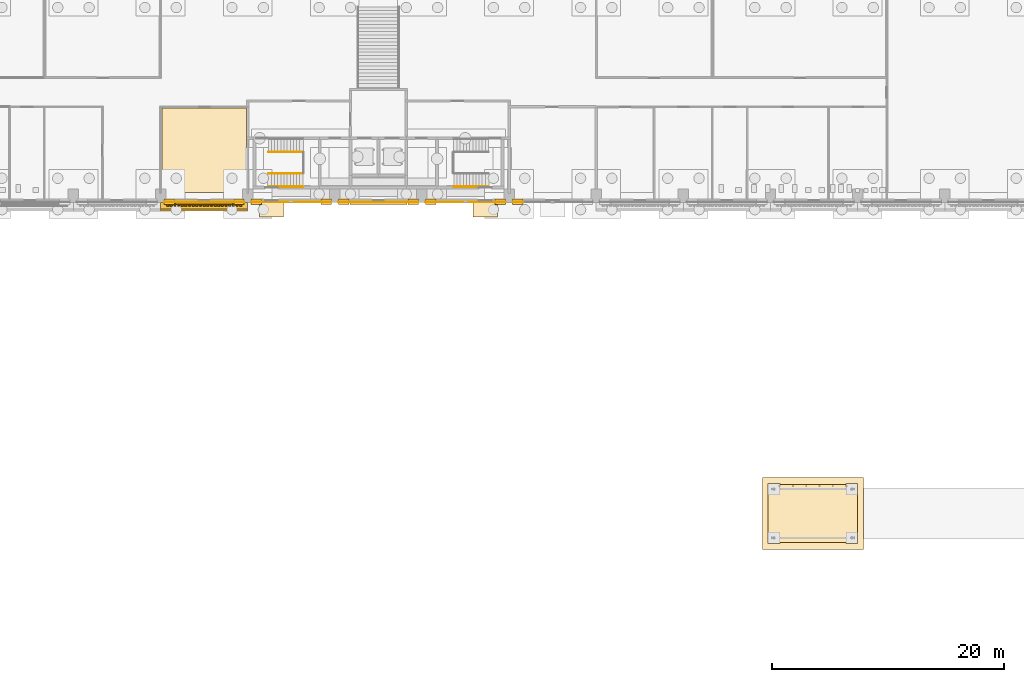
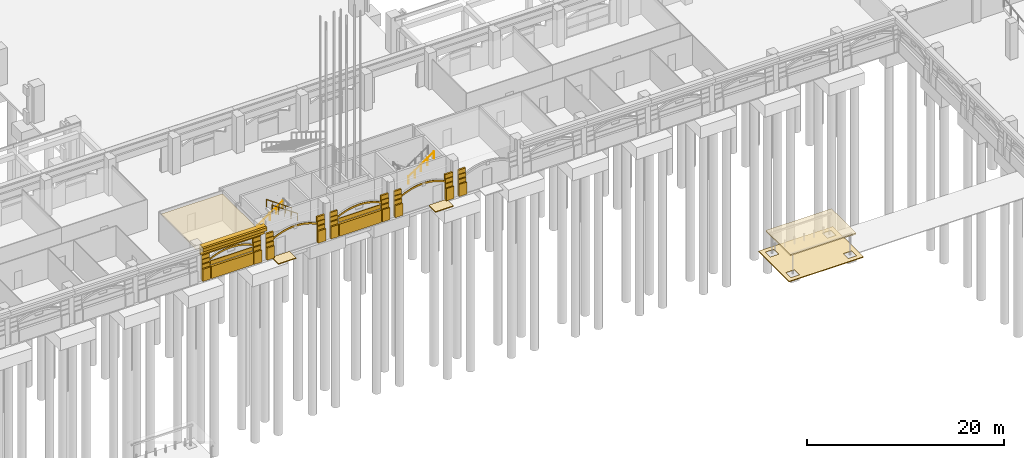
# One storey, part 67 of 99: 52 coverings, 4 railings, 1 element without a shape of its own.
"""IFC4 building model written with IfcOpenShell, lengths in metres."""

from ifc_helpers import new_model, si_unit, direction, frame, origin, origin_2d, place, context, subcontext, project, spatial, polyline, circle, outline, extrude, material, layer, layer_set, type_object, element, aggregate, save


model = new_model("IFC4")

# Units and contexts
model_context = context("Model", 3, precision=1e-05, world=origin(), true_north=direction((0.0, 1.0)))
body_context = subcontext(model_context, "Body", "Model", "MODEL_VIEW")
ifc_project = project(units=[si_unit("LENGTHUNIT", "METRE"), si_unit("AREAUNIT", "SQUARE_METRE"), si_unit("VOLUMEUNIT", "CUBIC_METRE"), si_unit("PLANEANGLEUNIT", "RADIAN"), si_unit("MASSUNIT", "GRAM", prefix="KILO")], contexts=[model_context])

# Site, building, storey
site_placement = place(None, origin())
site = spatial("IfcSite", under=ifc_project, at=site_placement, CompositionType="ELEMENT")
building_placement = place(site_placement, origin())
building = spatial("IfcBuilding", under=site, at=building_placement, Name="Cour d'Honneur Mobility Palace", CompositionType="ELEMENT")
storey_placement = place(building_placement, origin())
storey = spatial("IfcBuildingStorey", under=building, at=storey_placement, Name="L00", CompositionType="ELEMENT", Elevation=0.0)

# Coverings
ifc_material_1 = material(Name="Cast limestone", Category="masonry")
ifc_layer_1 = layer(ifc_material_1, 0.050048828125)
ifc_layer_set_1 = layer_set([ifc_layer_1], Name="Cast limestone")
covering_type_1 = type_object("IfcCoveringType", Name="Arch hood", PredefinedType="CLADDING", material=ifc_layer_set_1)
for number, where, z_axis, x_axis, name in (
    (1, (63.60009765625, 44.300048828125, 2.179931640625), (0.0, -1.0, 0.0), (0.893466628376, 0.0, 0.449129584839), "Arch hood AH-13"),
    (2, (71.10009765625, 44.300048828125, 2.179931640625), (0.0, -1.0, 0.0), (0.893466628376, 0.0, 0.449129584839), "Arch hood AH-14"),
    (3, (78.60009765625, 44.300048828125, 2.179931640625), (0.0, -1.0, 0.0), (0.893466628376, 0.0, 0.449129584839), "Arch hood AH-15"),
    (4, (86.10009765625, 44.300048828125, 2.179931640625), (0.0, -1.0, 0.0), (0.893466628376, 0.0, 0.449129584839), "Arch hood AH-16"),
):
    element("IfcCovering", number, at=place(storey_placement, frame(where, z_axis=z_axis, x_axis=x_axis)), inside=storey, type_object=covering_type_1, Name=name, PredefinedType="CLADDING", context=body_context, shape_type="SweptSolid", body=[
        extrude(outline(polyline([(0.0, 0.0), (0.35659251896621735, 0.0), (0.7019994885684498, -0.022795326888668588), (1.0365522012474004, -0.0666397586034293), (1.3614544754480467, -0.13022567619190017), (1.6770364335570624, -0.21235277137119013), (1.9834088964060255, -0.3122569988605455), (2.2812274285521696, -0.4297213972129261), (2.5701654177709066, -0.564308533372167), (2.850768777841922, -0.7160195773922962), (3.122709726486599, -0.8849630099968336), (3.38566048142632, -1.0712473119092998), (3.6398380041081246, -1.2755280476869282), (3.8844770791972314, -1.4982403102778272), (4.119465715808033, -1.740694058742436), (4.343818226996622, -2.004306562810686), (4.556548925819088, -2.2904950922125074), (4.655344276390369, -2.0939586097498237), (4.44272322834545, -1.807551948846934), (4.218261066379314, -1.5441575762797524), (3.983272429768512, -1.3017038278151434), (3.7387430054569535, -1.078773433723176), (3.4844558319976, -0.8747108294466162), (3.221505077057879, -0.68842652753415), (2.949564128413202, -0.5194830949296125), (2.6689607683421865, -0.3677720509094833), (2.3800227791234496, -0.2331849147502425), (2.0822042469773057, -0.11572051639786185), (1.7758317841283424, -0.015816288908506504), (1.4603594767968753, 0.06652893777185187), (1.1353475518186806, 0.12989672385925438), (0.8007948391397299, 0.17374115557401504), (0.45549752031504603, 0.1967546139637521), (0.09879535057128006, 0.19653648246268365), (0.0, 0.0)])), origin(), (0.0, 0.0, -1.0), 0.050048828125),
    ])
ifc_material_2 = material(Name="Cast limestone", Category="masonry")
ifc_layer_2 = layer(ifc_material_2, 0.14990234375)
ifc_layer_set_2 = layer_set([ifc_layer_2], Name="Cast limestone")
covering_type_2 = type_object("IfcCoveringType", Name="Dentil course", PredefinedType="CLADDING", material=ifc_layer_set_2)
covering_1_placement = place(storey_placement, frame((0.0, 0.0, 3.949951171875)))
element("IfcCovering", 5, at=covering_1_placement, inside=storey, type_object=covering_type_2, Name="Dentil course DC-11", PredefinedType="CLADDING", context=body_context, shape_type="SweptSolid", body=[
    extrude(outline(polyline([(62.85009765625, 44.10009765625), (69.449951171875, 44.10009765625), (69.449951171875, 44.070068359375), (69.449951171875, 44.070068359375), (69.371337890625, 44.070068359375), (69.371337890625, 43.949951171875), (69.21435546875, 43.949951171875), (69.21435546875, 44.070068359375), (69.1357421875, 44.070068359375), (69.1357421875, 44.070068359375), (69.05712890625, 44.070068359375), (69.05712890625, 43.949951171875), (68.89990234375, 43.949951171875), (68.89990234375, 44.070068359375), (68.821533203125, 44.070068359375), (68.821533203125, 44.070068359375), (68.742919921875, 44.070068359375), (68.742919921875, 43.949951171875), (68.585693359375, 43.949951171875), (68.585693359375, 44.070068359375), (68.507080078125, 44.070068359375), (68.507080078125, 44.070068359375), (68.428466796875, 44.070068359375), (68.428466796875, 43.949951171875), (68.271484375, 43.949951171875), (68.271484375, 44.070068359375), (68.19287109375, 44.070068359375), (68.19287109375, 44.070068359375), (68.1142578125, 44.070068359375), (68.1142578125, 43.949951171875), (67.95703125, 43.949951171875), (67.95703125, 44.070068359375), (67.878662109375, 44.070068359375), (67.878662109375, 44.070068359375), (67.800048828125, 44.070068359375), (67.800048828125, 43.949951171875), (67.642822265625, 43.949951171875), (67.642822265625, 44.070068359375), (67.564208984375, 44.070068359375), (67.564208984375, 44.070068359375), (67.485595703125, 44.070068359375), (67.485595703125, 43.949951171875), (67.32861328125, 43.949951171875), (67.32861328125, 44.070068359375), (67.25, 44.070068359375), (67.25, 44.070068359375), (67.17138671875, 44.070068359375), (67.17138671875, 43.949951171875), (67.014404296875, 43.949951171875), (67.014404296875, 44.070068359375), (66.935791015625, 44.070068359375), (66.935791015625, 44.070068359375), (66.857177734375, 44.070068359375), (66.857177734375, 43.949951171875), (66.699951171875, 43.949951171875), (66.699951171875, 44.070068359375), (66.621337890625, 44.070068359375), (66.621337890625, 44.070068359375), (66.54296875, 44.070068359375), (66.54296875, 43.949951171875), (66.3857421875, 43.949951171875), (66.3857421875, 44.070068359375), (66.30712890625, 44.070068359375), (66.30712890625, 44.070068359375), (66.228515625, 44.070068359375), (66.228515625, 43.949951171875), (66.071533203125, 43.949951171875), (66.071533203125, 44.070068359375), (65.992919921875, 44.070068359375), (65.992919921875, 44.070068359375), (65.914306640625, 44.070068359375), (65.914306640625, 43.949951171875), (65.757080078125, 43.949951171875), (65.757080078125, 44.070068359375), (65.678466796875, 44.070068359375), (65.678466796875, 44.070068359375), (65.60009765625, 44.070068359375), (65.60009765625, 43.949951171875), (65.44287109375, 43.949951171875), (65.44287109375, 44.070068359375), (65.3642578125, 44.070068359375), (65.3642578125, 44.070068359375), (65.28564453125, 44.070068359375), (65.28564453125, 43.949951171875), (65.128662109375, 43.949951171875), (65.128662109375, 44.070068359375), (65.050048828125, 44.070068359375), (65.050048828125, 44.070068359375), (64.971435546875, 44.070068359375), (64.971435546875, 43.949951171875), (64.814208984375, 43.949951171875), (64.814208984375, 44.070068359375), (64.735595703125, 44.070068359375), (64.735595703125, 44.070068359375), (64.6572265625, 44.070068359375), (64.6572265625, 43.949951171875), (64.5, 43.949951171875), (64.5, 44.070068359375), (64.42138671875, 44.070068359375), (64.42138671875, 44.070068359375), (64.3427734375, 44.070068359375), (64.3427734375, 43.949951171875), (64.185791015625, 43.949951171875), (64.185791015625, 44.070068359375), (64.107177734375, 44.070068359375), (64.107177734375, 44.070068359375), (64.028564453125, 44.070068359375), (64.028564453125, 43.949951171875), (63.871337890625, 43.949951171875), (63.871337890625, 44.070068359375), (63.79296875, 44.070068359375), (63.79296875, 44.070068359375), (63.71435546875, 44.070068359375), (63.71435546875, 43.949951171875), (63.55712890625, 43.949951171875), (63.55712890625, 44.070068359375), (63.478515625, 44.070068359375), (63.478515625, 44.070068359375), (63.39990234375, 44.070068359375), (63.39990234375, 43.949951171875), (63.242919921875, 43.949951171875), (63.242919921875, 44.070068359375), (63.164306640625, 44.070068359375), (63.164306640625, 44.070068359375), (63.085693359375, 44.070068359375), (63.085693359375, 43.949951171875), (62.928466796875, 43.949951171875), (62.928466796875, 44.070068359375), (62.85009765625, 44.070068359375), (62.85009765625, 44.10009765625)])), origin(), (0.0, 0.0, 1.0), 0.150146484375),
])
ifc_material_3 = material(Name="Cast limestone", Category="masonry")
ifc_layer_3 = layer(ifc_material_3, 0.699951171875)
ifc_layer_set_3 = layer_set([ifc_layer_3], Name="Cast limestone")
covering_type_3 = type_object("IfcCoveringType", Name="Entablature", PredefinedType="CLADDING", material=ifc_layer_set_3)
covering_2_placement = place(storey_placement, frame((62.39990234375, 44.25, 3.39990234375), z_axis=(-1.0, 0.0, 0.0), x_axis=(0.0, -1.0, 0.0)))
element("IfcCovering", 6, at=covering_2_placement, inside=storey, type_object=covering_type_3, Name="Entablature EN-11", PredefinedType="CLADDING", context=body_context, shape_type="SweptSolid", body=[
    extrude(outline(polyline([(0.0, 0.0), (0.14990234375, 0.0), (0.14990234375, 0.7001953125), (0.699951171875, 0.7001953125), (0.699951171875, 1.10009765625), (0.550048828125, 1.2001953125), (0.0, 1.2001953125), (0.0, 0.0)])), origin(), (0.0, 0.0, -1.0), 7.5),
])
ifc_material_4 = material(Name="Granite paving", Category="masonry")
ifc_layer_4 = layer(ifc_material_4, 0.10009765625)
ifc_layer_set_4 = layer_set([ifc_layer_4], Name="Granite paving")
covering_type_4 = type_object("IfcCoveringType", Name="Entrance paving", PredefinedType="FLOORING", material=ifc_layer_set_4)
covering_3_placement = place(storey_placement, frame((0.0, 0.0, -0.10009765625)))
element("IfcCovering", 7, at=covering_3_placement, inside=storey, type_object=covering_type_4, Name="Entrance paving PV-4", PredefinedType="FLOORING", context=body_context, shape_type="SweptSolid", body=[
    extrude(outline(polyline([(70.89990234375, 44.35009765625), (73.0, 44.35009765625), (73.0, 43.0), (70.89990234375, 43.0), (70.89990234375, 44.35009765625)])), origin(), (0.0, 0.0, 1.0), 0.10009765625),
])
covering_4_placement = place(storey_placement, frame((0.0, 0.0, -0.10009765625)))
element("IfcCovering", 8, at=covering_4_placement, inside=storey, type_object=covering_type_4, Name="Entrance paving PV-5", PredefinedType="FLOORING", context=body_context, shape_type="SweptSolid", body=[
    extrude(outline(polyline([(89.300048828125, 44.35009765625), (91.39990234375, 44.35009765625), (91.39990234375, 43.0), (89.300048828125, 43.0), (89.300048828125, 44.35009765625)])), origin(), (0.0, 0.0, 1.0), 0.10009765625),
])

# Railings
ifc_material_5 = material(Name="Stainless steel", Category="steel")
railing_type = type_object("IfcRailingType", Name="Handrail round 50", PredefinedType="HANDRAIL", material=ifc_material_5)
railing_1_placement = place(storey_placement, frame((71.675048828125, 48.60009765625, 0.1875)))
element("IfcRailing", 9, at=railing_1_placement, inside=storey, type_object=railing_type, Name="Handrail ST-CC1", PredefinedType="HANDRAIL", context=body_context, shape_type="SweptSolid", body=[
    extrude(circle(Radius=0.02490234375, at=origin_2d()), frame((0.0, 0.0, 0.89501953125), z_axis=(0.821367329581, 0.0, 0.57039960545), x_axis=(0.0, 1.0, 0.0)), (0.0, 0.0, 1.0), 3.615966796875),
    extrude(circle(Radius=0.02099609375, at=origin_2d()), origin(), (0.0, 0.0, 1.0), 0.869873046875),
    extrude(circle(Radius=0.02099609375, at=origin_2d()), frame((0.742431640625, 0.0, 0.515625)), (0.0, 0.0, 1.0), 0.869873046875),
    extrude(circle(Radius=0.02099609375, at=origin_2d()), frame((1.48486328125, 0.0, 1.03125)), (0.0, 0.0, 1.0), 0.869873046875),
    extrude(circle(Radius=0.02099609375, at=origin_2d()), frame((2.2275390625, 0.0, 1.546875)), (0.0, 0.0, 1.0), 0.869873046875),
    extrude(circle(Radius=0.02099609375, at=origin_2d()), frame((2.969970703125, 0.0, 2.0625)), (0.0, 0.0, 1.0), 0.869873046875),
])
for number, where, name in (
    (10, (74.64501953125, 46.77490234375, 2.4375), "Handrail ST-CC1"),
    (11, (74.64501953125, 45.625, 2.4375), "Handrail ST-CC1"),
):
    element("IfcRailing", number, at=place(storey_placement, frame(where)), inside=storey, type_object=railing_type, Name=name, PredefinedType="HANDRAIL", context=body_context, shape_type="SweptSolid", body=[
        extrude(circle(Radius=0.02490234375, at=origin_2d()), frame((0.0, 0.0, 0.89501953125), z_axis=(-0.821367329581, 0.0, 0.57039960545), x_axis=(0.0, -1.0, 0.0)), (0.0, 0.0, 1.0), 3.615966796875),
        extrude(circle(Radius=0.02099609375, at=origin_2d()), origin(), (0.0, 0.0, 1.0), 0.869873046875),
        extrude(circle(Radius=0.02099609375, at=origin_2d()), frame((-0.742431640625, 0.0, 0.515625)), (0.0, 0.0, 1.0), 0.869873046875),
        extrude(circle(Radius=0.02099609375, at=origin_2d()), frame((-1.48486328125, 0.0, 1.03125)), (0.0, 0.0, 1.0), 0.869873046875),
        extrude(circle(Radius=0.02099609375, at=origin_2d()), frame((-2.2275390625, 0.0, 1.546875)), (0.0, 0.0, 1.0), 0.869873046875),
        extrude(circle(Radius=0.02099609375, at=origin_2d()), frame((-2.969970703125, 0.0, 2.0625)), (0.0, 0.0, 1.0), 0.869873046875),
    ])
railing_2_placement = place(storey_placement, frame((87.655029296875, 45.625, 2.4375)))
element("IfcRailing", 12, at=railing_2_placement, inside=storey, type_object=railing_type, Name="Handrail ST-CC2", PredefinedType="HANDRAIL", context=body_context, shape_type="SweptSolid", body=[
    extrude(circle(Radius=0.02490234375, at=origin_2d()), frame((0.0, 0.0, 0.89501953125), z_axis=(0.821367329581, 0.0, 0.57039960545), x_axis=(0.0, 1.0, 0.0)), (0.0, 0.0, 1.0), 3.615966796875),
    extrude(circle(Radius=0.02099609375, at=origin_2d()), origin(), (0.0, 0.0, 1.0), 0.869873046875),
    extrude(circle(Radius=0.02099609375, at=origin_2d()), frame((0.742431640625, 0.0, 0.515625)), (0.0, 0.0, 1.0), 0.869873046875),
    extrude(circle(Radius=0.02099609375, at=origin_2d()), frame((1.48486328125, 0.0, 1.03125)), (0.0, 0.0, 1.0), 0.869873046875),
    extrude(circle(Radius=0.02099609375, at=origin_2d()), frame((2.2275390625, 0.0, 1.546875)), (0.0, 0.0, 1.0), 0.869873046875),
    extrude(circle(Radius=0.02099609375, at=origin_2d()), frame((2.969970703125, 0.0, 2.0625)), (0.0, 0.0, 1.0), 0.869873046875),
])

# Coverings
ifc_material_6 = material(Name="Cast limestone", Category="masonry")
ifc_layer_5 = layer(ifc_material_6, 0.25)
ifc_layer_set_5 = layer_set([ifc_layer_5], Name="Cast limestone")
covering_type_5 = type_object("IfcCoveringType", Name="Plinth course", PredefinedType="CLADDING", material=ifc_layer_set_5)
covering_5_placement = place(storey_placement, origin())
element("IfcCovering", 13, at=covering_5_placement, inside=storey, type_object=covering_type_5, Name="Plinth course PI-39", PredefinedType="CLADDING", context=body_context, shape_type="SweptSolid", body=[
    extrude(outline(polyline([(62.699951171875, 44.35009765625), (63.60009765625, 44.35009765625), (63.60009765625, 44.10009765625), (62.699951171875, 44.10009765625), (62.699951171875, 44.35009765625)])), origin(), (0.0, 0.0, 1.0), 1.5),
])
covering_6_placement = place(storey_placement, origin())
element("IfcCovering", 14, at=covering_6_placement, inside=storey, type_object=covering_type_5, Name="Plinth course PI-40", PredefinedType="CLADDING", context=body_context, shape_type="SweptSolid", body=[
    extrude(outline(polyline([(68.699951171875, 44.35009765625), (69.60009765625, 44.35009765625), (69.60009765625, 44.10009765625), (68.699951171875, 44.10009765625), (68.699951171875, 44.35009765625)])), origin(), (0.0, 0.0, 1.0), 1.5),
])
covering_7_placement = place(storey_placement, origin())
element("IfcCovering", 15, at=covering_7_placement, inside=storey, type_object=covering_type_5, Name="Plinth course PI-41", PredefinedType="CLADDING", context=body_context, shape_type="SweptSolid", body=[
    extrude(outline(polyline([(63.699951171875, 44.35009765625), (68.60009765625, 44.35009765625), (68.60009765625, 44.10009765625), (63.699951171875, 44.10009765625), (63.699951171875, 44.35009765625)])), origin(), (0.0, 0.0, 1.0), 1.5),
])
covering_8_placement = place(storey_placement, origin())
element("IfcCovering", 16, at=covering_8_placement, inside=storey, type_object=covering_type_5, Name="Plinth course PI-42", PredefinedType="CLADDING", context=body_context, shape_type="SweptSolid", body=[
    extrude(outline(polyline([(70.199951171875, 44.35009765625), (71.10009765625, 44.35009765625), (71.10009765625, 44.10009765625), (70.199951171875, 44.10009765625), (70.199951171875, 44.35009765625)])), origin(), (0.0, 0.0, 1.0), 1.5),
])
covering_9_placement = place(storey_placement, origin())
element("IfcCovering", 17, at=covering_9_placement, inside=storey, type_object=covering_type_5, Name="Plinth course PI-43", PredefinedType="CLADDING", context=body_context, shape_type="SweptSolid", body=[
    extrude(outline(polyline([(76.199951171875, 44.35009765625), (77.10009765625, 44.35009765625), (77.10009765625, 44.10009765625), (76.199951171875, 44.10009765625), (76.199951171875, 44.35009765625)])), origin(), (0.0, 0.0, 1.0), 1.5),
])
covering_10_placement = place(storey_placement, origin())
element("IfcCovering", 18, at=covering_10_placement, inside=storey, type_object=covering_type_5, Name="Plinth course PI-44", PredefinedType="CLADDING", context=body_context, shape_type="SweptSolid", body=[
    extrude(outline(polyline([(77.699951171875, 44.35009765625), (78.60009765625, 44.35009765625), (78.60009765625, 44.10009765625), (77.699951171875, 44.10009765625), (77.699951171875, 44.35009765625)])), origin(), (0.0, 0.0, 1.0), 1.5),
])
covering_11_placement = place(storey_placement, origin())
element("IfcCovering", 19, at=covering_11_placement, inside=storey, type_object=covering_type_5, Name="Plinth course PI-45", PredefinedType="CLADDING", context=body_context, shape_type="SweptSolid", body=[
    extrude(outline(polyline([(83.699951171875, 44.35009765625), (84.60009765625, 44.35009765625), (84.60009765625, 44.10009765625), (83.699951171875, 44.10009765625), (83.699951171875, 44.35009765625)])), origin(), (0.0, 0.0, 1.0), 1.5),
])
covering_12_placement = place(storey_placement, origin())
element("IfcCovering", 20, at=covering_12_placement, inside=storey, type_object=covering_type_5, Name="Plinth course PI-46", PredefinedType="CLADDING", context=body_context, shape_type="SweptSolid", body=[
    extrude(outline(polyline([(78.699951171875, 44.35009765625), (83.60009765625, 44.35009765625), (83.60009765625, 44.10009765625), (78.699951171875, 44.10009765625), (78.699951171875, 44.35009765625)])), origin(), (0.0, 0.0, 1.0), 1.5),
])
covering_13_placement = place(storey_placement, origin())
element("IfcCovering", 21, at=covering_13_placement, inside=storey, type_object=covering_type_5, Name="Plinth course PI-47", PredefinedType="CLADDING", context=body_context, shape_type="SweptSolid", body=[
    extrude(outline(polyline([(85.199951171875, 44.35009765625), (86.10009765625, 44.35009765625), (86.10009765625, 44.10009765625), (85.199951171875, 44.10009765625), (85.199951171875, 44.35009765625)])), origin(), (0.0, 0.0, 1.0), 1.5),
])
covering_14_placement = place(storey_placement, origin())
element("IfcCovering", 22, at=covering_14_placement, inside=storey, type_object=covering_type_5, Name="Plinth course PI-48", PredefinedType="CLADDING", context=body_context, shape_type="SweptSolid", body=[
    extrude(outline(polyline([(91.199951171875, 44.35009765625), (92.10009765625, 44.35009765625), (92.10009765625, 44.10009765625), (91.199951171875, 44.10009765625), (91.199951171875, 44.35009765625)])), origin(), (0.0, 0.0, 1.0), 1.5),
])
covering_15_placement = place(storey_placement, origin())
element("IfcCovering", 23, at=covering_15_placement, inside=storey, type_object=covering_type_5, Name="Plinth course PI-49", PredefinedType="CLADDING", context=body_context, shape_type="SweptSolid", body=[
    extrude(outline(polyline([(92.699951171875, 44.35009765625), (93.60009765625, 44.35009765625), (93.60009765625, 44.10009765625), (92.699951171875, 44.10009765625), (92.699951171875, 44.35009765625)])), origin(), (0.0, 0.0, 1.0), 1.5),
])
ifc_material_7 = material(Name="Cast limestone", Category="masonry")
ifc_layer_6 = layer(ifc_material_7, 0.199951171875)
ifc_layer_set_6 = layer_set([ifc_layer_6], Name="Cast limestone")
covering_type_6 = type_object("IfcCoveringType", Name="Rusticated jamb panel", PredefinedType="CLADDING", material=ifc_layer_set_6)
for number, where, z_axis, x_axis, name in (
    (24, (62.699951171875, 44.35009765625, 0.0), (0.0, -1.0, 0.0), (1.0, 0.0, 0.0), "Rusticated jamb panel RP-29"),
    (25, (68.699951171875, 44.35009765625, 0.0), (0.0, -1.0, 0.0), (1.0, 0.0, 0.0), "Rusticated jamb panel RP-30"),
    (26, (70.199951171875, 44.35009765625, 0.0), (0.0, -1.0, 0.0), (1.0, 0.0, 0.0), "Rusticated jamb panel RP-31"),
    (27, (76.199951171875, 44.35009765625, 0.0), (0.0, -1.0, 0.0), (1.0, 0.0, 0.0), "Rusticated jamb panel RP-32"),
    (28, (77.699951171875, 44.35009765625, 0.0), (0.0, -1.0, 0.0), (1.0, 0.0, 0.0), "Rusticated jamb panel RP-33"),
    (29, (83.699951171875, 44.35009765625, 0.0), (0.0, -1.0, 0.0), (1.0, 0.0, 0.0), "Rusticated jamb panel RP-34"),
    (30, (85.199951171875, 44.35009765625, 0.0), (0.0, -1.0, 0.0), (1.0, 0.0, 0.0), "Rusticated jamb panel RP-35"),
    (31, (91.199951171875, 44.35009765625, 0.0), (0.0, -1.0, 0.0), (1.0, 0.0, 0.0), "Rusticated jamb panel RP-36"),
    (32, (92.699951171875, 44.35009765625, 0.0), (0.0, -1.0, 0.0), (1.0, 0.0, 0.0), "Rusticated jamb panel RP-37"),
):
    element("IfcCovering", number, at=place(storey_placement, frame(where, z_axis=z_axis, x_axis=x_axis)), inside=storey, type_object=covering_type_6, Name=name, PredefinedType="CLADDING", context=body_context, shape_type="SweptSolid", body=[
        extrude(outline(polyline([(0.0, 0.0), (0.900146484375, 0.0), (0.900146484375, 3.10009765625), (0.0, 3.10009765625), (0.0, 0.0)])), origin(), (0.0, 0.0, -1.0), 0.199951171875),
    ])
ifc_material_8 = material(Name="Cast limestone", Category="masonry")
ifc_layer_7 = layer(ifc_material_8, 0.080078125)
ifc_layer_set_7 = layer_set([ifc_layer_7], Name="Cast limestone")
covering_type_7 = type_object("IfcCoveringType", Name="Rustication course", PredefinedType="CLADDING", material=ifc_layer_set_7)
for number, where, name in (
    (33, (0.0, 0.0, 1.5), "Rustication course RC-65"),
    (34, (0.0, 0.0, 2.10009765625), "Rustication course RC-66"),
):
    element("IfcCovering", number, at=place(storey_placement, frame(where)), inside=storey, type_object=covering_type_7, Name=name, PredefinedType="CLADDING", context=body_context, shape_type="SweptSolid", body=[
        extrude(outline(polyline([(62.699951171875, 44.35009765625), (63.60009765625, 44.35009765625), (63.60009765625, 44.27001953125), (62.699951171875, 44.27001953125), (62.699951171875, 44.35009765625)])), origin(), (0.0, 0.0, 1.0), 0.47998046875),
    ])
for number, where, name in (
    (35, (0.0, 0.0, 1.5), "Rustication course RC-67"),
    (36, (0.0, 0.0, 2.10009765625), "Rustication course RC-68"),
):
    element("IfcCovering", number, at=place(storey_placement, frame(where)), inside=storey, type_object=covering_type_7, Name=name, PredefinedType="CLADDING", context=body_context, shape_type="SweptSolid", body=[
        extrude(outline(polyline([(68.699951171875, 44.35009765625), (69.60009765625, 44.35009765625), (69.60009765625, 44.27001953125), (68.699951171875, 44.27001953125), (68.699951171875, 44.35009765625)])), origin(), (0.0, 0.0, 1.0), 0.47998046875),
    ])
covering_16_placement = place(storey_placement, frame((0.0, 0.0, 1.6201171875)))
element("IfcCovering", 37, at=covering_16_placement, inside=storey, type_object=covering_type_7, Name="Rustication course RC-69", PredefinedType="CLADDING", context=body_context, shape_type="SweptSolid", body=[
    extrude(outline(polyline([(63.699951171875, 44.35009765625), (68.60009765625, 44.35009765625), (68.60009765625, 44.27001953125), (63.699951171875, 44.27001953125), (63.699951171875, 44.35009765625)])), origin(), (0.0, 0.0, 1.0), 0.47998046875),
])
for number, where, name in (
    (38, (0.0, 0.0, 1.5), "Rustication course RC-70"),
    (39, (0.0, 0.0, 2.10009765625), "Rustication course RC-71"),
):
    element("IfcCovering", number, at=place(storey_placement, frame(where)), inside=storey, type_object=covering_type_7, Name=name, PredefinedType="CLADDING", context=body_context, shape_type="SweptSolid", body=[
        extrude(outline(polyline([(70.199951171875, 44.35009765625), (71.10009765625, 44.35009765625), (71.10009765625, 44.27001953125), (70.199951171875, 44.27001953125), (70.199951171875, 44.35009765625)])), origin(), (0.0, 0.0, 1.0), 0.47998046875),
    ])
for number, where, name in (
    (40, (0.0, 0.0, 1.5), "Rustication course RC-72"),
    (41, (0.0, 0.0, 2.10009765625), "Rustication course RC-73"),
):
    element("IfcCovering", number, at=place(storey_placement, frame(where)), inside=storey, type_object=covering_type_7, Name=name, PredefinedType="CLADDING", context=body_context, shape_type="SweptSolid", body=[
        extrude(outline(polyline([(76.199951171875, 44.35009765625), (77.10009765625, 44.35009765625), (77.10009765625, 44.27001953125), (76.199951171875, 44.27001953125), (76.199951171875, 44.35009765625)])), origin(), (0.0, 0.0, 1.0), 0.47998046875),
    ])
for number, where, name in (
    (42, (0.0, 0.0, 1.5), "Rustication course RC-74"),
    (43, (0.0, 0.0, 2.10009765625), "Rustication course RC-75"),
):
    element("IfcCovering", number, at=place(storey_placement, frame(where)), inside=storey, type_object=covering_type_7, Name=name, PredefinedType="CLADDING", context=body_context, shape_type="SweptSolid", body=[
        extrude(outline(polyline([(77.699951171875, 44.35009765625), (78.60009765625, 44.35009765625), (78.60009765625, 44.27001953125), (77.699951171875, 44.27001953125), (77.699951171875, 44.35009765625)])), origin(), (0.0, 0.0, 1.0), 0.47998046875),
    ])
for number, where, name in (
    (44, (0.0, 0.0, 1.5), "Rustication course RC-76"),
    (45, (0.0, 0.0, 2.10009765625), "Rustication course RC-77"),
):
    element("IfcCovering", number, at=place(storey_placement, frame(where)), inside=storey, type_object=covering_type_7, Name=name, PredefinedType="CLADDING", context=body_context, shape_type="SweptSolid", body=[
        extrude(outline(polyline([(83.699951171875, 44.35009765625), (84.60009765625, 44.35009765625), (84.60009765625, 44.27001953125), (83.699951171875, 44.27001953125), (83.699951171875, 44.35009765625)])), origin(), (0.0, 0.0, 1.0), 0.47998046875),
    ])
covering_17_placement = place(storey_placement, frame((0.0, 0.0, 1.6201171875)))
element("IfcCovering", 46, at=covering_17_placement, inside=storey, type_object=covering_type_7, Name="Rustication course RC-78", PredefinedType="CLADDING", context=body_context, shape_type="SweptSolid", body=[
    extrude(outline(polyline([(78.699951171875, 44.35009765625), (83.60009765625, 44.35009765625), (83.60009765625, 44.27001953125), (78.699951171875, 44.27001953125), (78.699951171875, 44.35009765625)])), origin(), (0.0, 0.0, 1.0), 0.47998046875),
])
for number, where, name in (
    (47, (0.0, 0.0, 1.5), "Rustication course RC-79"),
    (48, (0.0, 0.0, 2.10009765625), "Rustication course RC-80"),
):
    element("IfcCovering", number, at=place(storey_placement, frame(where)), inside=storey, type_object=covering_type_7, Name=name, PredefinedType="CLADDING", context=body_context, shape_type="SweptSolid", body=[
        extrude(outline(polyline([(85.199951171875, 44.35009765625), (86.10009765625, 44.35009765625), (86.10009765625, 44.27001953125), (85.199951171875, 44.27001953125), (85.199951171875, 44.35009765625)])), origin(), (0.0, 0.0, 1.0), 0.47998046875),
    ])
for number, where, name in (
    (49, (0.0, 0.0, 1.5), "Rustication course RC-81"),
    (50, (0.0, 0.0, 2.10009765625), "Rustication course RC-82"),
):
    element("IfcCovering", number, at=place(storey_placement, frame(where)), inside=storey, type_object=covering_type_7, Name=name, PredefinedType="CLADDING", context=body_context, shape_type="SweptSolid", body=[
        extrude(outline(polyline([(91.199951171875, 44.35009765625), (92.10009765625, 44.35009765625), (92.10009765625, 44.27001953125), (91.199951171875, 44.27001953125), (91.199951171875, 44.35009765625)])), origin(), (0.0, 0.0, 1.0), 0.47998046875),
    ])
for number, where, name in (
    (51, (0.0, 0.0, 1.5), "Rustication course RC-83"),
    (52, (0.0, 0.0, 2.10009765625), "Rustication course RC-84"),
):
    element("IfcCovering", number, at=place(storey_placement, frame(where)), inside=storey, type_object=covering_type_7, Name=name, PredefinedType="CLADDING", context=body_context, shape_type="SweptSolid", body=[
        extrude(outline(polyline([(92.699951171875, 44.35009765625), (93.60009765625, 44.35009765625), (93.60009765625, 44.27001953125), (92.699951171875, 44.27001953125), (92.699951171875, 44.35009765625)])), origin(), (0.0, 0.0, 1.0), 0.47998046875),
    ])

# Roof, covering
ifc_material_9 = material(Name="Zinc standing seam")
ifc_layer_8 = layer(ifc_material_9, 0.06005859375)
ifc_layer_set_8 = layer_set([ifc_layer_8], Name="Zinc standing seam")
roof_type = type_object("IfcRoofType", Name="Flat roof", PredefinedType="FLAT_ROOF", material=ifc_layer_set_8)
roof_placement = place(storey_placement, origin())
roof = element("IfcRoof", 53, at=roof_placement, inside=storey, type_object=roof_type, Name="Shelter roof E", PredefinedType="FLAT_ROOF")
ifc_material_10 = material(Name="Zinc standing seam")
ifc_layer_9 = layer(ifc_material_10, 0.14990234375)
ifc_layer_set_9 = layer_set([ifc_layer_9], Name="Zinc standing seam")
covering_type_8 = type_object("IfcCoveringType", Name="Sandwich roof panel", PredefinedType="ROOFING", material=ifc_layer_set_9)
covering_18_placement = place(storey_placement, frame((0.0, 0.0, 2.60009765625)))
covering_18 = element("IfcCovering", 54, at=covering_18_placement, type_object=covering_type_8, Name="Shelter roof panel SR-E", PredefinedType="ROOFING", context=body_context, shape_type="SweptSolid", body=[
    extrude(outline(polyline([(114.699951171875, 15.0), (122.39990234375, 15.0), (122.39990234375, 20.0), (114.699951171875, 20.0), (114.699951171875, 15.0)])), origin(), (0.0, 0.0, 1.0), 0.14990234375),
])
aggregate(roof, [covering_18])

# Coverings
ifc_material_11 = material(Name="Granite paving", Category="masonry")
ifc_layer_10 = layer(ifc_material_11, 0.10009765625)
ifc_layer_set_10 = layer_set([ifc_layer_10], Name="Granite paving")
covering_type_9 = type_object("IfcCoveringType", Name="Shelter paving", PredefinedType="FLOORING", material=ifc_layer_set_10)
covering_19_placement = place(storey_placement, frame((0.0, 0.0, -0.10009765625)))
element("IfcCovering", 55, at=covering_19_placement, inside=storey, type_object=covering_type_9, Name="Shelter paving SP-E", PredefinedType="FLOORING", context=body_context, shape_type="SweptSolid", body=[
    extrude(outline(polyline([(114.199951171875, 14.39990234375), (122.89990234375, 14.39990234375), (122.89990234375, 20.60009765625), (114.199951171875, 20.60009765625), (114.199951171875, 14.39990234375)]), holes=[polyline([(114.699951171875, 14.89990234375), (115.699951171875, 14.89990234375), (115.699951171875, 15.89990234375), (114.699951171875, 15.89990234375), (114.699951171875, 14.89990234375)]), polyline([(114.699951171875, 19.10009765625), (115.699951171875, 19.10009765625), (115.699951171875, 20.10009765625), (114.699951171875, 20.10009765625), (114.699951171875, 19.10009765625)]), polyline([(121.39990234375, 14.89990234375), (122.39990234375, 14.89990234375), (122.39990234375, 15.89990234375), (121.39990234375, 15.89990234375), (121.39990234375, 14.89990234375)]), polyline([(121.39990234375, 19.10009765625), (122.39990234375, 19.10009765625), (122.39990234375, 20.10009765625), (121.39990234375, 20.10009765625), (121.39990234375, 19.10009765625)])]), origin(), (0.0, 0.0, 1.0), 0.10009765625),
])
ifc_material_12 = material(Name="Cast limestone", Category="masonry")
ifc_layer_11 = layer(ifc_material_12, 0.25)
ifc_layer_set_11 = layer_set([ifc_layer_11], Name="Cast limestone")
covering_type_10 = type_object("IfcCoveringType", Name="Spandrel cladding", PredefinedType="CLADDING", material=ifc_layer_set_11)
covering_20_placement = place(storey_placement, frame((62.699951171875, 44.550048828125, 3.10009765625), z_axis=(-1.0, 0.0, 0.0), x_axis=(0.0, -1.0, 0.0)))
element("IfcCovering", 56, at=covering_20_placement, inside=storey, type_object=covering_type_10, Name="Spandrel cladding SK-11", PredefinedType="CLADDING", context=body_context, shape_type="SweptSolid", body=[
    extrude(outline(polyline([(0.0, 0.0), (0.25, 0.0), (0.25, 1.39990234375), (0.199951171875, 1.39990234375), (0.199951171875, 0.7998046875), (0.0, 0.7998046875), (0.0, 0.0)])), origin(), (0.0, 0.0, -1.0), 6.89990234375),
])
ifc_material_13 = material(Name="Suspended ceiling")
ifc_layer_12 = layer(ifc_material_13, 0.030029296875)
ifc_layer_set_12 = layer_set([ifc_layer_12], Name="Suspended ceiling")
covering_type_11 = type_object("IfcCoveringType", Name="Suspended ceiling", PredefinedType="CEILING", material=ifc_layer_set_12)
covering_21_placement = place(storey_placement, frame((0.0, 0.0, 3.35009765625)))
element("IfcCovering", 57, at=covering_21_placement, inside=storey, type_object=covering_type_11, Name="Ceiling Security Room", PredefinedType="CEILING", context=body_context, shape_type="SweptSolid", body=[
    extrude(outline(polyline([(69.780029296875, 45.1201171875), (62.52001953125, 45.1201171875), (62.52001953125, 52.3798828125), (69.780029296875, 52.3798828125), (69.780029296875, 45.1201171875)])), origin(), (0.0, 0.0, 1.0), 0.02978515625),
])

save(model, "model.ifc")
